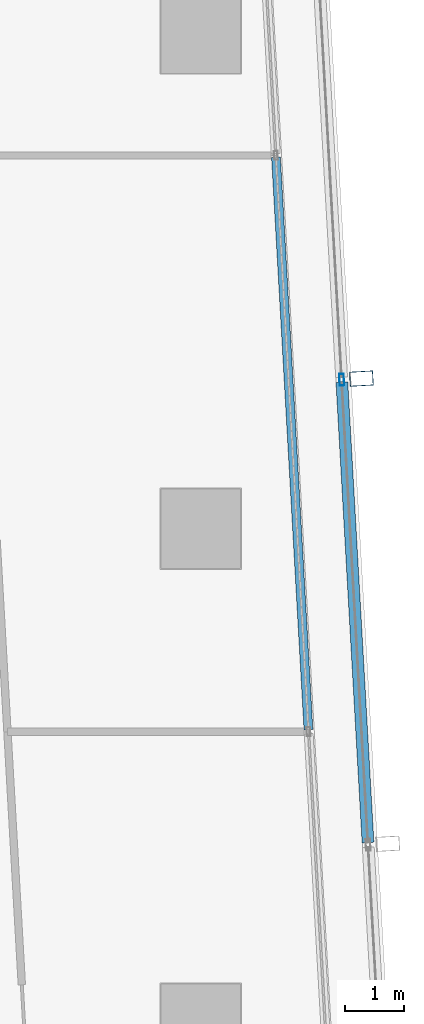
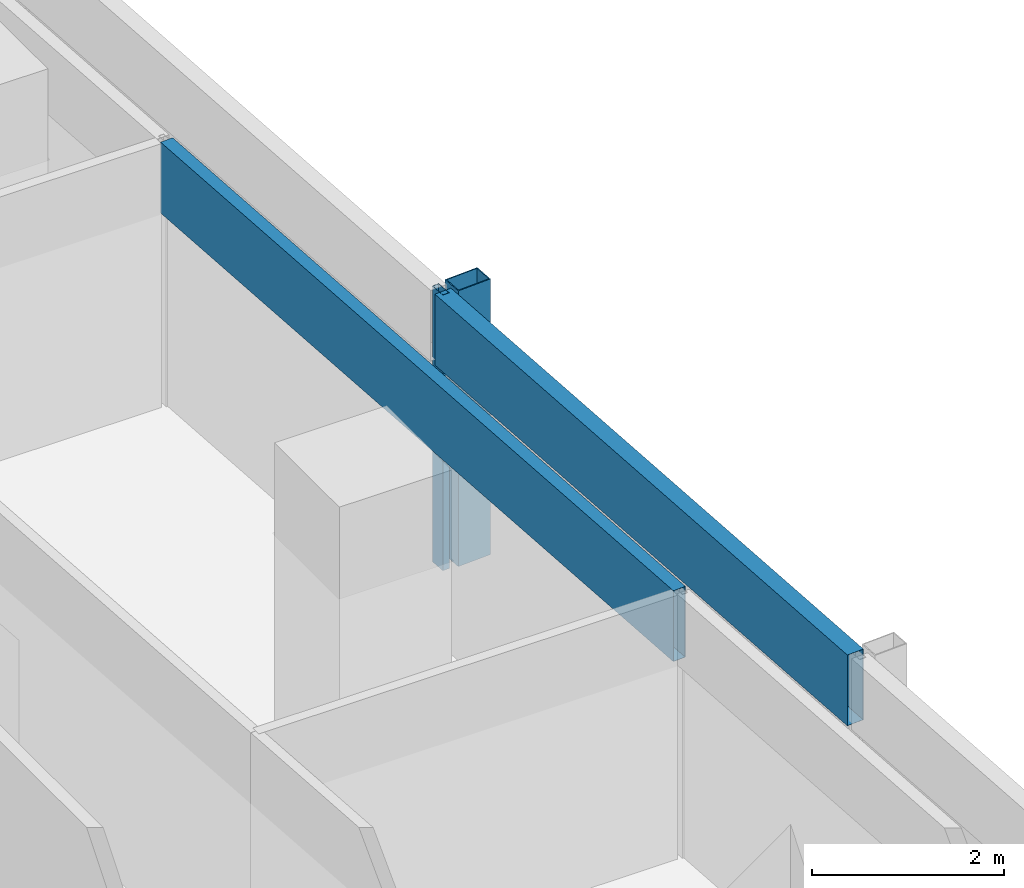
# One storey, part 15 of 38: 4 members, 2 elements without a shape of their own.
"""IFC4 building model written with IfcOpenShell, lengths in metres."""

from ifc_helpers import new_model, si_unit, direction, frame, origin, origin_2d, place, context, subcontext, project, spatial, hollow_rectangle, extrude, material, material_profile, profile_set, type_object, element, aggregate, save


model = new_model("IFC4")

# Units and contexts
model_context = context("Model", 3, precision=1e-05, world=origin(), true_north=direction((0.0, 1.0)))
body_context = subcontext(model_context, "Body", "Model", "MODEL_VIEW")
ifc_project = project(units=[si_unit("LENGTHUNIT", "METRE"), si_unit("AREAUNIT", "SQUARE_METRE"), si_unit("VOLUMEUNIT", "CUBIC_METRE"), si_unit("PLANEANGLEUNIT", "RADIAN"), si_unit("MASSUNIT", "GRAM", prefix="KILO")], contexts=[model_context])

# Site, building, storey
site_placement = place(None, origin())
site = spatial("IfcSite", under=ifc_project, at=site_placement, CompositionType="ELEMENT")
building_placement = place(site_placement, origin())
building = spatial("IfcBuilding", under=site, at=building_placement, Name="Rekha Terrace Tower", CompositionType="ELEMENT")
storey_placement = place(building_placement, frame((0.0, 0.0, 195.199951171875)))
storey = spatial("IfcBuildingStorey", under=building, at=storey_placement, Name="L49", CompositionType="ELEMENT", Elevation=195.199951171875)

# Curtain wall, member
ifc_material_1 = material(Name="Aluminium framing", Category="aluminium")
curtain_wall_type_1 = type_object("IfcCurtainWallType", Name="CW2 double skin outer glazing", PredefinedType="USERDEFINED", material=ifc_material_1)
curtain_wall_1_placement = place(storey_placement, origin())
curtain_wall_1 = element("IfcCurtainWall", 1, at=curtain_wall_1_placement, inside=storey, type_object=curtain_wall_type_1, Name="CW2 double skin outer glazing", ObjectType="DOUBLE SKIN OUTER GLAZING", PredefinedType="USERDEFINED")
ifc_material_2 = material(Name="Steel S355 with fluorocarbon finish", Category="steel")
ifc_material_profile_1 = material_profile(ifc_material_2, hollow_rectangle(XDim=0.25, YDim=0.39990234375, WallThickness=0.012451171875, at=origin_2d()), Name="RHS400x250x12.5")
ifc_profile_set_1 = profile_set([ifc_material_profile_1], Name="Steel S355 with fluorocarbon finish")
member_type_1 = type_object("IfcMemberType", Name="BL1 facade blade RHS 400 x 250", PredefinedType="USERDEFINED", material=ifc_profile_set_1)
member_1_placement = place(storey_placement, frame((61.528076171875, 44.546630859375, 0.0), z_axis=(0.0, 0.0, 1.0), x_axis=(-0.056673619809, 0.998392758797, 0.0)))
member_1 = element("IfcMember", 2, at=member_1_placement, type_object=member_type_1, Name="Facade blade", ObjectType="FACADE BLADE", PredefinedType="USERDEFINED", context=body_context, shape_type="SweptSolid", body=[
    extrude(hollow_rectangle(XDim=0.25, YDim=0.39990234375, WallThickness=0.012451171875, at=origin_2d()), origin(), (0.0, 0.0, 1.0), 3.5),
])

curtain_wall_type_2 = type_object("IfcCurtainWallType", Name="CW1 double skin inner glazing", PredefinedType="USERDEFINED", material=ifc_material_1)
curtain_wall_2_placement = place(storey_placement, origin())
curtain_wall_2 = element("IfcCurtainWall", 3, at=curtain_wall_2_placement, inside=storey, type_object=curtain_wall_type_2, Name="CW1 double skin inner glazing", ObjectType="DOUBLE SKIN INNER GLAZING", PredefinedType="USERDEFINED")
ifc_material_3 = material(Name="Insulated aluminium spandrel box", Category="aluminium")
ifc_material_profile_2 = material_profile(ifc_material_3, hollow_rectangle(XDim=0.14990234375, YDim=0.89990234375, WallThickness=0.0029296875, at=origin_2d()), Name="AL SPANDREL BOX 150x900")
ifc_profile_set_2 = profile_set([ifc_material_profile_2], Name="Insulated aluminium spandrel box")
member_type_2 = type_object("IfcMemberType", Name="CW1 spandrel transom 150 x 900", PredefinedType="USERDEFINED", material=ifc_profile_set_2)
member_2_placement = place(storey_placement, frame((60.629150390625, 38.588134765625, 3.050048828125), z_axis=(-0.056650211304, 0.998394087302, 0.0), x_axis=(-0.998394087302, -0.056650211304, 0.0)))
member_2 = element("IfcMember", 4, at=member_2_placement, type_object=member_type_2, Name="CW1 spandrel transom 2", ObjectType="TRANSOM", PredefinedType="USERDEFINED", context=body_context, shape_type="SweptSolid", body=[
    extrude(hollow_rectangle(XDim=0.14990234375, YDim=0.89990234375, WallThickness=0.0029296875, at=origin_2d()), origin(), (0.0, 0.0, 1.0), 9.726806640625),
])
aggregate(curtain_wall_2, [member_2])

# Member
ifc_material_4 = material(Name="Aluminium mullion section", Category="aluminium")
ifc_material_profile_3 = material_profile(ifc_material_4, hollow_rectangle(XDim=0.080078125, YDim=0.199951171875, WallThickness=0.00390625, at=origin_2d()), Name="AL RHS 80x200")
ifc_profile_set_3 = profile_set([ifc_material_profile_3], Name="Aluminium mullion section")
member_type_3 = type_object("IfcMemberType", Name="CW2 mullion RHS 80 x 200", PredefinedType="MULLION", material=ifc_profile_set_3)
member_3_placement = place(storey_placement, frame((61.193603515625, 44.527587890625, 0.0), z_axis=(0.0, 0.0, 1.0), x_axis=(-0.998392782919, -0.05667319486, 0.0)))
member_3 = element("IfcMember", 5, at=member_3_placement, type_object=member_type_3, Name="CW2 mullion 3", PredefinedType="MULLION", context=body_context, shape_type="SweptSolid", body=[
    extrude(hollow_rectangle(XDim=0.080078125, YDim=0.199951171875, WallThickness=0.00390625, at=origin_2d()), origin(), (0.0, 0.0, 1.0), 3.5),
])

ifc_material_profile_4 = material_profile(ifc_material_3, hollow_rectangle(XDim=0.199951171875, YDim=0.89990234375, WallThickness=0.0029296875, at=origin_2d()), Name="AL SPANDREL BOX 200x900")
ifc_profile_set_4 = profile_set([ifc_material_profile_4], Name="Insulated aluminium spandrel box")
member_type_4 = type_object("IfcMemberType", Name="CW2 spandrel transom 200 x 900", PredefinedType="USERDEFINED", material=ifc_profile_set_4)
member_4_placement = place(storey_placement, frame((61.63916015625, 36.6767578125, 3.050048828125), z_axis=(-0.056669428082, 0.998392996731, 0.0), x_axis=(-0.998392996731, -0.056669428082, 0.0)))
member_4 = element("IfcMember", 6, at=member_4_placement, type_object=member_type_4, Name="CW2 spandrel transom 2", ObjectType="TRANSOM", PredefinedType="USERDEFINED", context=body_context, shape_type="SweptSolid", body=[
    extrude(hollow_rectangle(XDim=0.199951171875, YDim=0.89990234375, WallThickness=0.0029296875, at=origin_2d()), origin(), (0.0, 0.0, 1.0), 7.823486328125),
])

aggregate(curtain_wall_1, [member_3, member_4, member_1])

save(model, "model.ifc")
